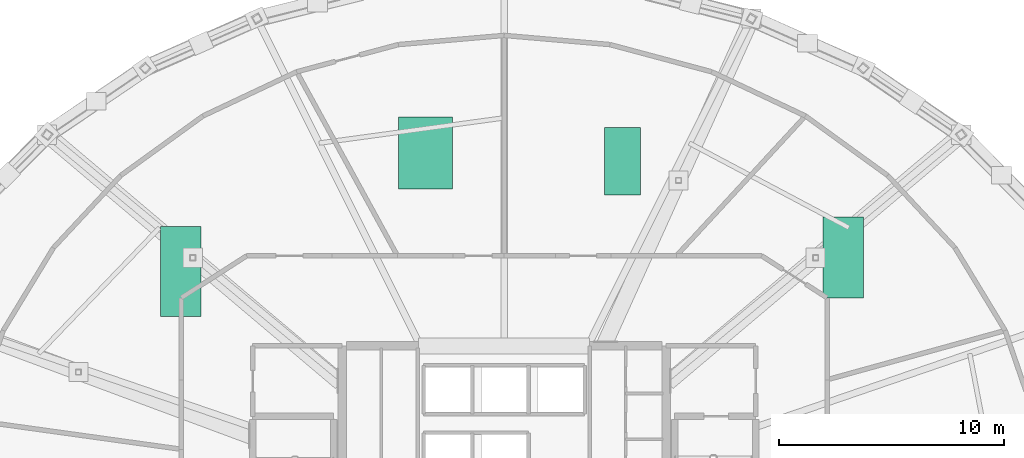
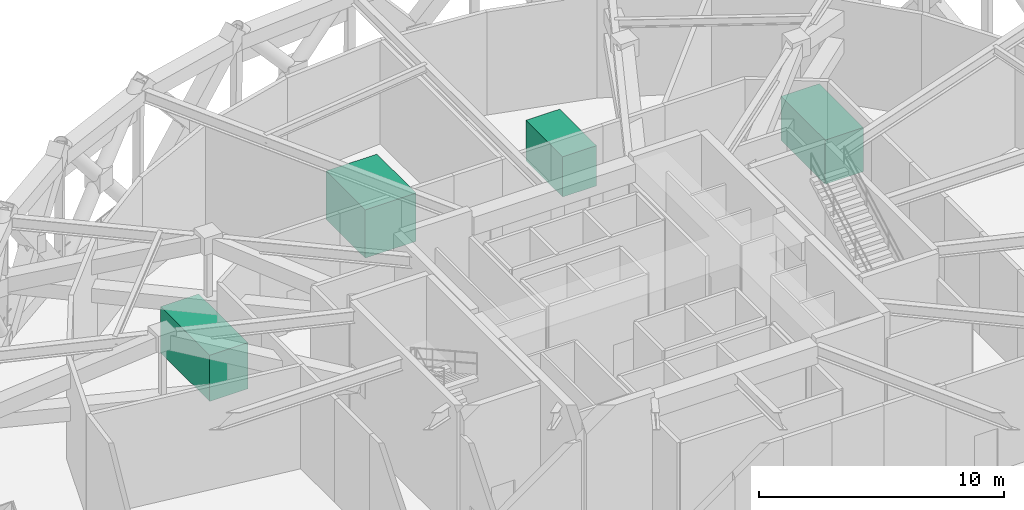
# One storey, part 15 of 15: 1 chiller, 1 electric generator, 1 tank, 1 unitary equipment element.
"""IFC4 building model written with IfcOpenShell, lengths in metres."""

from ifc_helpers import new_model, si_unit, direction, frame, origin, origin_2d, place, context, subcontext, project, spatial, rectangle, extrude, material, type_object, element, save


model = new_model("IFC4")

# Units and contexts
model_context = context("Model", 3, precision=1e-05, world=origin(), true_north=direction((0.0, 1.0)))
body_context = subcontext(model_context, "Body", "Model", "MODEL_VIEW")
ifc_project = project(units=[si_unit("LENGTHUNIT", "METRE"), si_unit("AREAUNIT", "SQUARE_METRE"), si_unit("VOLUMEUNIT", "CUBIC_METRE"), si_unit("PLANEANGLEUNIT", "RADIAN"), si_unit("MASSUNIT", "GRAM", prefix="KILO")], contexts=[model_context])

# Site, building, storey
site_placement = place(None, origin())
site = spatial("IfcSite", under=ifc_project, at=site_placement, CompositionType="ELEMENT")
building_placement = place(site_placement, origin())
building = spatial("IfcBuilding", under=site, at=building_placement, Name="Veldorina Hangang Commons", CompositionType="ELEMENT")
storey_placement = place(building_placement, frame((0.0, 0.0, 110.800048828125)))
storey = spatial("IfcBuildingStorey", under=building, at=storey_placement, Name="L28", CompositionType="ELEMENT", Elevation=110.800048828125)

# Unitary equipment
ifc_material_1 = material(Name="Aluminium Insulated Double-Skin Casing", Category="aluminium")
unitary_equipment_type = type_object("IfcUnitaryEquipmentType", Name="EQ-AHU-1", PredefinedType="AIRHANDLER", material=ifc_material_1)
unitary_equipment_placement = place(storey_placement, frame((37.248046875, 39.649169921875, 0.0), z_axis=(0.0, 0.0, 1.0), x_axis=(1.0, 0.0, 0.0)))
element("IfcUnitaryEquipment", 1, at=unitary_equipment_placement, inside=storey, type_object=unitary_equipment_type, Name="L28 Air Handling Unit Mechanical Plant Room equipment 012", PredefinedType="AIRHANDLER", context=body_context, shape_type="SweptSolid", body=[
    extrude(rectangle(XDim=1.60009765625, YDim=3.0, at=origin_2d()), origin(), (0.0, 0.0, 1.0), 2.0),
])

# Chiller
ifc_material_2 = material(Name="Steel Powder-Coated Enclosure", Category="steel")
chiller_type = type_object("IfcChillerType", Name="EQ-CHILLER-1", PredefinedType="AIRCOOLED", material=ifc_material_2)
chiller_placement = place(storey_placement, frame((47.06689453125, 35.383056640625, 0.0), z_axis=(0.0, 0.0, 1.0), x_axis=(1.0, 0.0, 0.0)))
element("IfcChiller", 2, at=chiller_placement, inside=storey, type_object=chiller_type, Name="L28 Chiller and Heat Exchanger Plant Room equipment 011", PredefinedType="AIRCOOLED", context=body_context, shape_type="SweptSolid", body=[
    extrude(rectangle(XDim=1.800048828125, YDim=3.60009765625, at=origin_2d()), origin(), (0.0, 0.0, 1.0), 2.199951171875),
])

# Electric generator
ifc_material_3 = material(Name="Steel Acoustic Generator Canopy", Category="steel")
electric_generator_type = type_object("IfcElectricGeneratorType", Name="EQ-GEN-1", PredefinedType="ENGINEGENERATOR", material=ifc_material_3)
electric_generator_placement = place(storey_placement, frame((17.626220703125, 34.76220703125, 0.0), z_axis=(0.0, 0.0, 1.0), x_axis=(1.0, 0.0, 0.0)))
element("IfcElectricGenerator", 3, at=electric_generator_placement, inside=storey, type_object=electric_generator_type, Name="L28 High-Voltage Electrical Switchgear Room equipment 014", PredefinedType="ENGINEGENERATOR", context=body_context, shape_type="SweptSolid", body=[
    extrude(rectangle(XDim=1.800048828125, YDim=4.0, at=origin_2d()), origin(), (0.0, 0.0, 1.0), 2.300048828125),
])

# Tank
ifc_material_4 = material(Name="Stainless Steel Panel Tank 316L", Category="steel")
tank_type = type_object("IfcTankType", Name="EQ-TANK-1", PredefinedType="STORAGE", material=ifc_material_4)
tank_placement = place(storey_placement, frame((28.50927734375, 40.012451171875, 0.0), z_axis=(0.0, 0.0, 1.0), x_axis=(1.0, 0.0, 0.0)))
element("IfcTank", 4, at=tank_placement, inside=storey, type_object=tank_type, Name="L28 Domestic and Fire Booster Pump Room equipment 013", PredefinedType="STORAGE", context=body_context, shape_type="SweptSolid", body=[
    extrude(rectangle(XDim=2.39990234375, YDim=3.199951171875, at=origin_2d()), origin(), (0.0, 0.0, 1.0), 2.39990234375),
])

save(model, "model.ifc")
